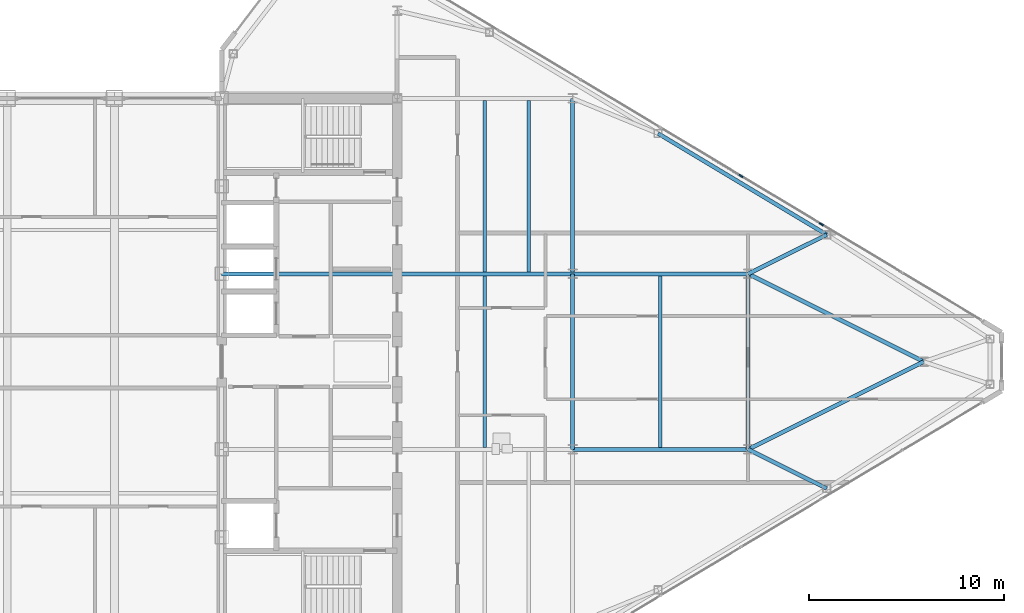
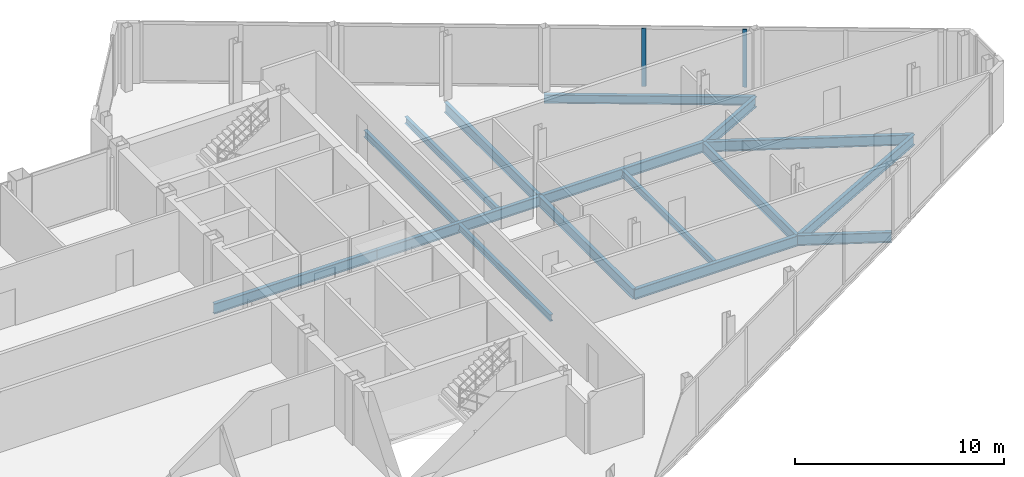
# One storey, part 15 of 29: 16 beams, 2 members, 1 element without a shape of its own.
"""IFC4 building model written with IfcOpenShell, lengths in metres."""

from ifc_helpers import new_model, si_unit, direction, frame, origin, origin_2d, place, context, subcontext, project, spatial, rectangle, i_section, extrude, source, transform, mapped, material, layer, layer_set, material_profile, profile_set, type_object, type_shapes, element, aggregate, save


model = new_model("IFC4")

# Units and contexts
model_context = context("Model", 3, precision=1e-05, world=origin(), true_north=direction((0.0, 1.0)))
body_context = subcontext(model_context, "Body", "Model", "MODEL_VIEW")
ifc_project = project(units=[si_unit("LENGTHUNIT", "METRE"), si_unit("AREAUNIT", "SQUARE_METRE"), si_unit("VOLUMEUNIT", "CUBIC_METRE"), si_unit("PLANEANGLEUNIT", "RADIAN"), si_unit("MASSUNIT", "GRAM", prefix="KILO")], contexts=[model_context])

# Site, building, storey
site_placement = place(None, origin())
site = spatial("IfcSite", under=ifc_project, at=site_placement, CompositionType="ELEMENT")
building_placement = place(site_placement, origin())
building = spatial("IfcBuilding", under=site, at=building_placement, Name="Seokmaru Belvedere", CompositionType="ELEMENT")
storey_placement = place(building_placement, frame((0.0, 0.0, 239.39990234375)))
storey = spatial("IfcBuildingStorey", under=building, at=storey_placement, Name="L63", CompositionType="ELEMENT", Elevation=239.39990234375)

# Beams
ifc_material_1 = material(Name="Steel SM355 (355 MPa)", Category="steel")
ifc_material_profile_1 = material_profile(ifc_material_1, i_section(OverallWidth=0.199951171875, OverallDepth=0.60009765625, WebThickness=0.010986328125, FlangeThickness=0.01708984375, at=origin_2d()), Name="H-600x200x11x17")
ifc_profile_set_1 = profile_set([ifc_material_profile_1], Name="Steel SM355 (355 MPa)")
beam_type_1 = type_object("IfcBeamType", Name="Primary Floor Girder H-600", PredefinedType="BEAM", material=ifc_profile_set_1)
shared_shape_1 = source(origin(), body_context, "Body", "SweptSolid", [
    extrude(i_section(OverallWidth=0.199951171875, OverallDepth=0.60009765625, WebThickness=0.010986328125, FlangeThickness=0.01708984375, at=origin_2d()), origin(), (0.0, 0.0, 1.0), 9.0),
])
for number, where, z_axis, x_axis, name in (
    (1, (45.5, -4.5, -0.52001953125), (0.0, 1.0, 0.0), (-1.0, 0.0, 0.0), "L63 E Interior Grid Girder 2"),
    (2, (45.5, 4.5, -0.52001953125), (0.0, 1.0, 0.0), (-1.0, 0.0, 0.0), "L63 E Interior Grid Girder 3"),
    (3, (27.5, 4.5, -0.52001953125), (1.0, 0.0, 0.0), (0.0, 1.0, 0.0), "L63 E Core Tie Girder 3"),
    (4, (36.5, 4.5, -0.52001953125), (1.0, 0.0, 0.0), (0.0, 1.0, 0.0), "L63 E Wing Primary Girder 3"),
    (5, (45.5, -4.5, -0.52001953125), (1.0, 0.0, 0.0), (0.0, 1.0, 0.0), "L63 E Outer Wing Girder 1"),
    (6, (45.5, 4.5, -0.52001953125), (1.0, 0.0, 0.0), (0.0, 1.0, 0.0), "L63 E Outer Wing Girder 2"),
    (7, (54.5, -4.5, -0.52001953125), (0.0, 1.0, 0.0), (-1.0, 0.0, 0.0), "L63 E Apex Frame Girder"),
):
    element("IfcBeam", number, at=place(storey_placement, frame(where, z_axis=z_axis, x_axis=x_axis)), inside=storey, type_object=beam_type_1, Name=name, PredefinedType="BEAM", context=body_context, shape_type="MappedRepresentation", body=[
        mapped(shared_shape_1, transform((0.0, 0.0, 0.0), scale=1.0)),
    ])
shared_shape_2 = source(origin(), body_context, "Body", "SweptSolid", [
    extrude(i_section(OverallWidth=0.199951171875, OverallDepth=0.60009765625, WebThickness=0.010986328125, FlangeThickness=0.01708984375, at=origin_2d()), origin(), (0.0, 0.0, 1.0), 10.062255859375),
])
for number, where, z_axis, x_axis, name in (
    (8, (54.5, -4.5, -0.52001953125), (0.894427191, 0.4472135955, 0.0), (-0.4472135955, 0.894427191, 0.0), "L63 E Apex Converging Girder 1"),
    (9, (54.5, 4.5, -0.52001953125), (0.894427191, -0.4472135955, 0.0), (0.4472135955, 0.894427191, 0.0), "L63 E Apex Converging Girder 2"),
):
    element("IfcBeam", number, at=place(storey_placement, frame(where, z_axis=z_axis, x_axis=x_axis)), inside=storey, type_object=beam_type_1, Name=name, PredefinedType="BEAM", context=body_context, shape_type="MappedRepresentation", body=[
        mapped(shared_shape_2, transform((0.0, 0.0, 0.0), scale=1.0)),
    ])
ifc_material_profile_2 = material_profile(ifc_material_1, i_section(OverallWidth=0.18505859375, OverallDepth=0.389892578125, WebThickness=0.008056640625, FlangeThickness=0.011962890625, at=origin_2d()), Name="H-390x185x8x12")
ifc_profile_set_2 = profile_set([ifc_material_profile_2], Name="Steel SM355 (355 MPa)")
beam_type_2 = type_object("IfcBeamType", Name="Secondary Floor Joist H-350", PredefinedType="JOIST", material=ifc_profile_set_2)
shared_shape_3 = source(origin(), body_context, "Body", "SweptSolid", [
    extrude(i_section(OverallWidth=0.18505859375, OverallDepth=0.389892578125, WebThickness=0.008056640625, FlangeThickness=0.011962890625, at=origin_2d()), origin(), (0.0, 0.0, 1.0), 8.7900390625),
])
type_shapes(beam_type_2, [shared_shape_3])
for number, where, z_axis, x_axis, name in (
    (10, (43.25, 4.60498046875, -0.414794921875), (0.0, 1.0, 0.0), (-1.0, 0.0, 0.0), "L63 E Wing Inner Secondary Joist 2"),
    (11, (41.0, -4.39501953125, -0.414794921875), (0.0, 1.0, 0.0), (-1.0, 0.0, 0.0), "L63 E Secondary Floor Joist 2"),
    (12, (41.0, 4.60498046875, -0.414794921875), (0.0, 1.0, 0.0), (-1.0, 0.0, 0.0), "L63 E Secondary Floor Joist 3"),
    (13, (50.0, -4.39501953125, -0.414794921875), (0.0, 1.0, 0.0), (-1.0, 0.0, 0.0), "L63 E Outer Bay Secondary Joist"),
):
    element("IfcBeam", number, at=place(storey_placement, frame(where, z_axis=z_axis, x_axis=x_axis)), inside=storey, type_object=beam_type_2, Name=name, PredefinedType="JOIST", context=body_context, shape_type="MappedRepresentation", body=[
        mapped(shared_shape_3, transform((0.0, 0.0, 0.0), scale=1.0)),
    ])
ifc_material_profile_3 = material_profile(ifc_material_1, i_section(OverallWidth=0.199951171875, OverallDepth=0.5, WebThickness=0.010009765625, FlangeThickness=0.01611328125, at=origin_2d()), Name="H-500x200x10x16")
ifc_profile_set_3 = profile_set([ifc_material_profile_3], Name="Steel SM355 (355 MPa)")
beam_type_3 = type_object("IfcBeamType", Name="Perimeter Spandrel Beam H-500", PredefinedType="SPANDREL", material=ifc_profile_set_3)
shared_shape_4 = source(origin(), body_context, "Body", "SweptSolid", [
    extrude(i_section(OverallWidth=0.199951171875, OverallDepth=0.5, WebThickness=0.010009765625, FlangeThickness=0.01611328125, at=origin_2d()), origin(), (0.0, 0.0, 1.0), 10.087646484375),
])
type_shapes(beam_type_3, [shared_shape_4])
beam_placement = place(storey_placement, frame((49.8798828125, 11.698974609375, -0.469970703125), z_axis=(0.857488654804, -0.514502873542, 0.0), x_axis=(0.514502873542, 0.857488654804, 0.0)))
element("IfcBeam", 14, at=beam_placement, inside=storey, type_object=beam_type_3, Name="L63 E Faceted Flank Spandrel N-3", PredefinedType="SPANDREL", context=body_context, shape_type="MappedRepresentation", body=[
    mapped(shared_shape_4, transform((0.0, 0.0, 0.0), scale=1.0)),
])
shared_shape_5 = source(origin(), body_context, "Body", "SweptSolid", [
    extrude(i_section(OverallWidth=0.199951171875, OverallDepth=0.60009765625, WebThickness=0.010986328125, FlangeThickness=0.01708984375, at=origin_2d()), origin(), (0.0, 0.0, 1.0), 4.5029296875),
])
type_shapes(beam_type_1, [shared_shape_1, shared_shape_2, shared_shape_5])
for number, where, z_axis, x_axis, name in (
    (15, (58.530029296875, -6.5087890625, -0.52001953125), (-0.894979532585, 0.446107202648, 0.0), (-0.446107202648, -0.894979532585, 0.0), "L63 E Flank Radial Floor Girder S-3"),
    (16, (58.530029296875, 6.5087890625, -0.52001953125), (-0.894979532585, -0.446107202648, 0.0), (0.446107202648, -0.894979532585, 0.0), "L63 E Flank Radial Floor Girder N-3"),
):
    element("IfcBeam", number, at=place(storey_placement, frame(where, z_axis=z_axis, x_axis=x_axis)), inside=storey, type_object=beam_type_1, Name=name, PredefinedType="BEAM", context=body_context, shape_type="MappedRepresentation", body=[
        mapped(shared_shape_5, transform((0.0, 0.0, 0.0), scale=1.0)),
    ])

# Curtain wall, members
ifc_material_2 = material(Name="Bronze Triple Insulating Glass", Category="glass")
ifc_layer = layer(ifc_material_2, 0.219970703125)
ifc_layer_set = layer_set([ifc_layer], Name="Bronze Triple Insulating Glass")
curtain_wall_type = type_object("IfcCurtainWallType", Name="Sky-Gate Bridge Panorama Curtain Wall System CW-6", PredefinedType="NOTDEFINED", material=ifc_layer_set)
curtain_wall_placement = place(storey_placement, origin())
curtain_wall = element("IfcCurtainWall", 17, at=curtain_wall_placement, inside=storey, type_object=curtain_wall_type, Name="L63 Curtain Wall EF3", PredefinedType="NOTDEFINED")
ifc_material_3 = material(Name="Anodised Bronze Aluminium", Category="aluminium")
ifc_material_profile_4 = material_profile(ifc_material_3, rectangle(XDim=0.080078125, YDim=0.219970703125, at=origin_2d()), Name="CW-M-80x220")
ifc_profile_set_4 = profile_set([ifc_material_profile_4], Name="Anodised Bronze Aluminium")
member_type = type_object("IfcMemberType", Name="Bronze Unitised Mullion 80x220", PredefinedType="MULLION", material=ifc_profile_set_4)
shared_shape_6 = source(origin(), body_context, "Body", "SweptSolid", [
    extrude(rectangle(XDim=0.080078125, YDim=0.219970703125, at=origin_2d()), origin(), (0.0, 0.0, 1.0), 3.3798828125),
])
type_shapes(member_type, [shared_shape_6])
member_1_placement = place(storey_placement, frame((58.257080078125, 7.0458984375, 0.0751953125), z_axis=(0.0, 0.0, 1.0), x_axis=(-0.514494909364, -0.85749343335, 0.0)))
member_1 = element("IfcMember", 18, at=member_1_placement, type_object=member_type, Name="CW:L63:EF3 Mullion 3", PredefinedType="MULLION", context=body_context, shape_type="MappedRepresentation", body=[
    mapped(shared_shape_6, transform((0.0, 0.0, 0.0), scale=1.0)),
])
member_2_placement = place(storey_placement, frame((54.12841796875, 9.52294921875, 0.0751953125), z_axis=(0.0, 0.0, 1.0), x_axis=(-0.514494909364, -0.85749343335, 0.0)))
member_2 = element("IfcMember", 19, at=member_2_placement, type_object=member_type, Name="CW:L63:EF3 Mullion 4", PredefinedType="MULLION", context=body_context, shape_type="MappedRepresentation", body=[
    mapped(shared_shape_6, transform((0.0, 0.0, 0.0), scale=1.0)),
])
aggregate(curtain_wall, [member_1, member_2])

save(model, "model.ifc")
